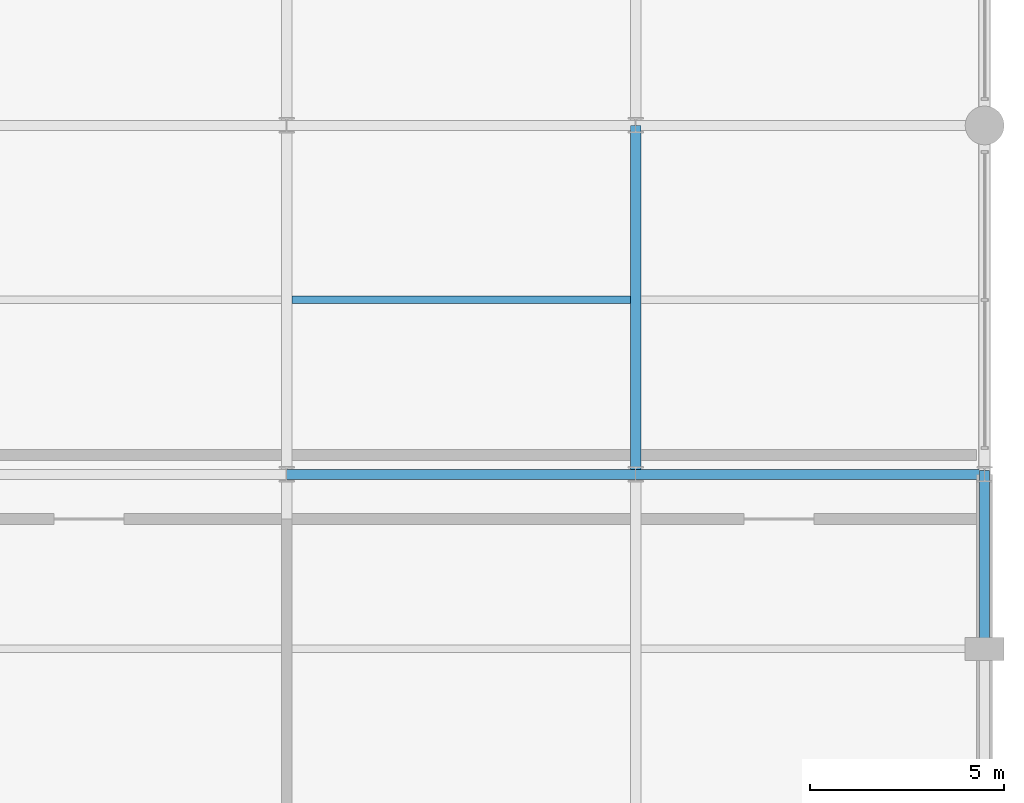
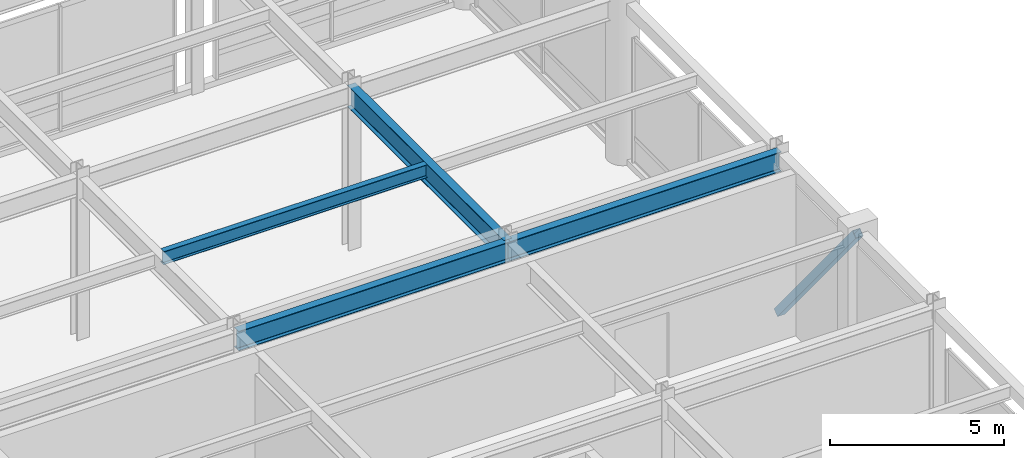
# One storey, part 42 of 105: 4 beams, 1 member.
"""IFC4 building model written with IfcOpenShell, lengths in metres."""

from ifc_helpers import new_model, si_unit, direction, frame, origin, origin_2d, place, context, subcontext, project, spatial, hollow_rectangle, i_section, extrude, material, material_profile, profile_set, type_object, element, save


model = new_model("IFC4")

# Units and contexts
model_context = context("Model", 3, precision=1e-05, world=origin(), true_north=direction((0.0, 1.0)))
body_context = subcontext(model_context, "Body", "Model", "MODEL_VIEW")
ifc_project = project(units=[si_unit("LENGTHUNIT", "METRE"), si_unit("AREAUNIT", "SQUARE_METRE"), si_unit("VOLUMEUNIT", "CUBIC_METRE"), si_unit("PLANEANGLEUNIT", "RADIAN"), si_unit("MASSUNIT", "GRAM", prefix="KILO")], contexts=[model_context])

# Site, building, storey
site_placement = place(None, origin())
site = spatial("IfcSite", under=ifc_project, at=site_placement, CompositionType="ELEMENT")
building_placement = place(site_placement, origin())
building = spatial("IfcBuilding", under=site, at=building_placement, Name="Kaldorvane Square Convention Centre", CompositionType="ELEMENT")
storey_placement = place(building_placement, frame((0.0, 0.0, 6.0)))
storey = spatial("IfcBuildingStorey", under=building, at=storey_placement, Name="L01", CompositionType="ELEMENT", Elevation=6.0)

# Beams
ifc_material_1 = material(Name="Steel ASTM A992 Gr. 50", Category="steel")
ifc_material_profile_1 = material_profile(ifc_material_1, i_section(OverallWidth=0.25439453125, OverallDepth=0.6880950927734375, WebThickness=0.0131072998046875, FlangeThickness=0.0211029052734375, FilletRadius=0.01519775390625, at=origin_2d()), Name="W27X102")
ifc_profile_set_1 = profile_set([ifc_material_profile_1], Name="Steel ASTM A992 Gr. 50")
beam_type_1 = type_object("IfcBeamType", Name="BM-GR-W27X102", PredefinedType="BEAM", material=ifc_profile_set_1)
for number, where, z_axis, x_axis, name in (
    (1, (156.0, 18.0, 5.332000732421875), (1.0, 0.0, 0.0), (0.0, 1.0, 0.0), "Primary Girder (L01)"),
    (2, (165.0, 18.0, 5.332000732421875), (1.0, 0.0, 0.0), (0.0, 1.0, 0.0), "Primary Girder (L01)"),
):
    element("IfcBeam", number, at=place(storey_placement, frame(where, z_axis=z_axis, x_axis=x_axis)), inside=storey, type_object=beam_type_1, Name=name, PredefinedType="BEAM", context=body_context, shape_type="SweptSolid", body=[
        extrude(i_section(OverallWidth=0.25439453125, OverallDepth=0.6880950927734375, WebThickness=0.0131072998046875, FlangeThickness=0.0211029052734375, FilletRadius=0.01519775390625, at=origin_2d()), origin(), (0.0, 0.0, 1.0), 9.0),
    ])
ifc_material_profile_2 = material_profile(ifc_material_1, i_section(OverallWidth=0.2666015625, OverallDepth=0.762298583984375, WebThickness=0.014404296875, FlangeThickness=0.0216064453125, FilletRadius=0.0164947509765625, at=origin_2d()), Name="W30X116")
ifc_profile_set_2 = profile_set([ifc_material_profile_2], Name="Steel ASTM A992 Gr. 50")
beam_type_2 = type_object("IfcBeamType", Name="BM-GR-W30X116", PredefinedType="BEAM", material=ifc_profile_set_2)
beam_1_placement = place(storey_placement, frame((165.0, 18.0, 5.2949066162109375), z_axis=(0.0, 1.0, 0.0), x_axis=(-1.0, 0.0, 0.0)))
element("IfcBeam", 3, at=beam_1_placement, inside=storey, type_object=beam_type_2, Name="Transverse Girder (L01)", PredefinedType="BEAM", context=body_context, shape_type="SweptSolid", body=[
    extrude(i_section(OverallWidth=0.2666015625, OverallDepth=0.762298583984375, WebThickness=0.014404296875, FlangeThickness=0.0216064453125, FilletRadius=0.0164947509765625, at=origin_2d()), origin(), (0.0, 0.0, 1.0), 9.0),
])
ifc_material_profile_3 = material_profile(ifc_material_1, i_section(OverallWidth=0.1912994384765625, OverallDepth=0.4600067138671875, WebThickness=0.0099029541015625, FlangeThickness=0.0160064697265625, FilletRadius=0.01019287109375, at=origin_2d()), Name="W18X55")
ifc_profile_set_3 = profile_set([ifc_material_profile_3], Name="Steel ASTM A992 Gr. 50")
beam_type_3 = type_object("IfcBeamType", Name="BM-JS-W18X55", PredefinedType="JOIST", material=ifc_profile_set_3)
beam_2_placement = place(storey_placement, frame((156.13330078125, 22.5, 5.4459991455078125), z_axis=(1.0, 0.0, 0.0), x_axis=(0.0, 1.0, 0.0)))
element("IfcBeam", 4, at=beam_2_placement, inside=storey, type_object=beam_type_3, Name="Secondary Floor Joist (L01)", PredefinedType="JOIST", context=body_context, shape_type="SweptSolid", body=[
    extrude(i_section(OverallWidth=0.1912994384765625, OverallDepth=0.4600067138671875, WebThickness=0.0099029541015625, FlangeThickness=0.0160064697265625, FilletRadius=0.01019287109375, at=origin_2d()), origin(), (0.0, 0.0, 1.0), 8.7333984375),
])

# Member
ifc_material_2 = material(Name="Steel ASTM A500 Gr. C", Category="steel")
ifc_material_profile_4 = material_profile(ifc_material_2, hollow_rectangle(XDim=0.253997802734375, YDim=0.253997802734375, WallThickness=0.0117950439453125, at=origin_2d()), Name="HSS10X10X1/2")
ifc_profile_set_4 = profile_set([ifc_material_profile_4], Name="Steel ASTM A500 Gr. C")
member_type = type_object("IfcMemberType", Name="MB-BR-HSS10", PredefinedType="BRACE", material=ifc_profile_set_4)
member_placement = place(storey_placement, frame((174.0, 18.0, 0.0), z_axis=(0.0, -0.635117820374, 0.772415273181), x_axis=(1.0, 0.0, 0.0)))
element("IfcMember", 5, at=member_placement, inside=storey, type_object=member_type, Name="Seismic Chevron Brace X174-B1B (L01)", PredefinedType="BRACE", context=body_context, shape_type="SweptSolid", body=[
    extrude(hollow_rectangle(XDim=0.253997802734375, YDim=0.253997802734375, WallThickness=0.0117950439453125, at=origin_2d()), origin(), (0.0, 0.0, 1.0), 7.085296630859375),
])

save(model, "model.ifc")
